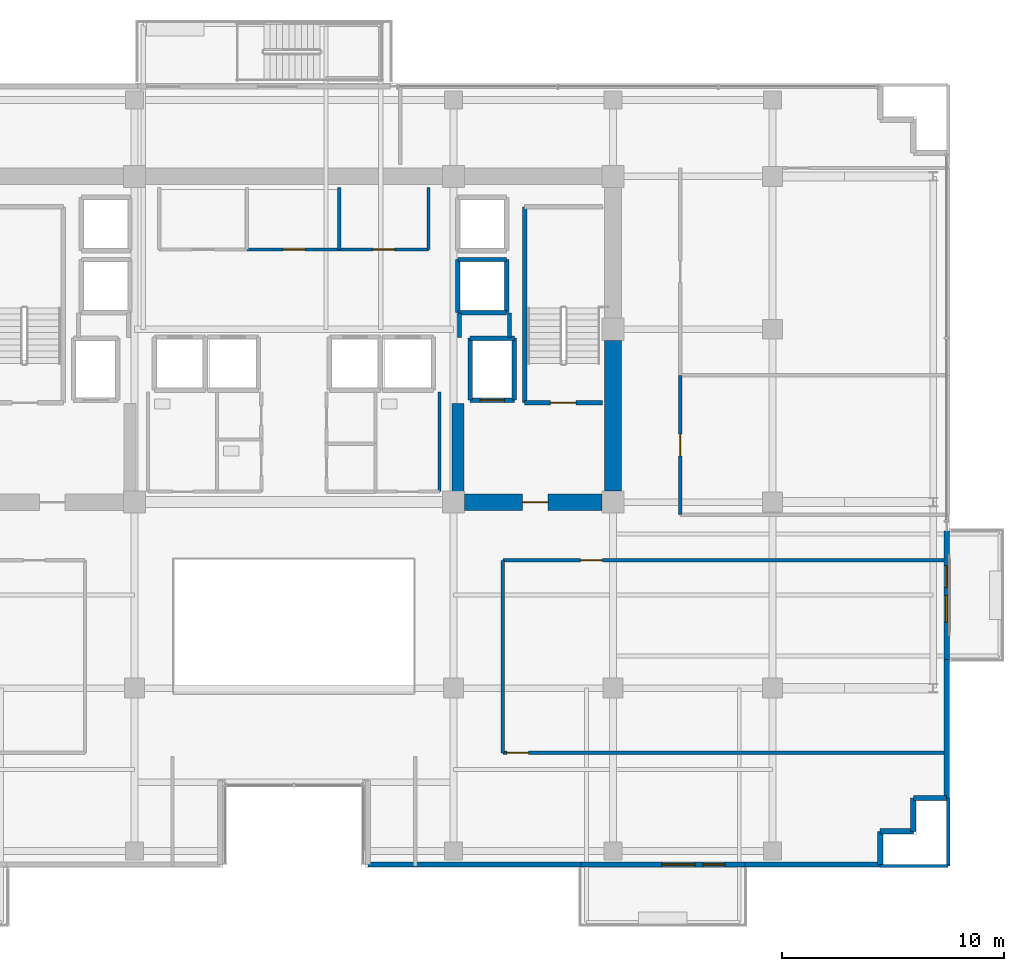
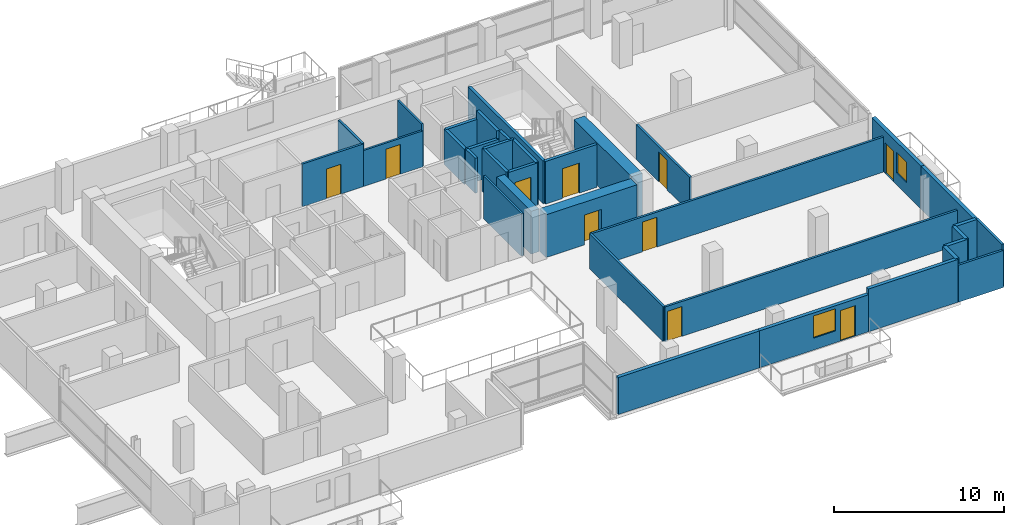
# One storey, part 20 of 27: 35 walls, 10 doors, 2 windows, 12 openings.
"""IFC4 building model written with IfcOpenShell, lengths in metres."""

from ifc_helpers import new_model, si_unit, direction, frame, frame_2d, origin, place, context, subcontext, project, spatial, rectangle, extrude, source, transform, mapped, material, layer, layer_set, type_object, element, fill, save


model = new_model("IFC4")

# Units and contexts
model_context = context("Model", 3, precision=1e-05, world=origin(), true_north=direction((0.0, 1.0)))
body_context = subcontext(model_context, "Body", "Model", "MODEL_VIEW")
ifc_project = project(units=[si_unit("LENGTHUNIT", "METRE"), si_unit("AREAUNIT", "SQUARE_METRE"), si_unit("VOLUMEUNIT", "CUBIC_METRE"), si_unit("PLANEANGLEUNIT", "RADIAN"), si_unit("MASSUNIT", "GRAM", prefix="KILO")], contexts=[model_context])

# Site, building, storey
site_placement = place(None, origin())
site = spatial("IfcSite", under=ifc_project, at=site_placement, CompositionType="ELEMENT")
building_placement = place(site_placement, origin())
building = spatial("IfcBuilding", under=site, at=building_placement, Name="Zarnakvel Exchange Tower", CompositionType="ELEMENT")
storey_placement = place(building_placement, frame((0.0, 0.0, 113.199951171875)))
storey = spatial("IfcBuildingStorey", under=building, at=storey_placement, Name="L31", CompositionType="ELEMENT", Elevation=113.199951171875)

# Wall
ifc_material_1 = material(Name="Concrete C60/75", Category="concrete")
ifc_layer_1 = layer(ifc_material_1, 0.75)
ifc_layer_set_1 = layer_set([ifc_layer_1], Name="Concrete C60/75")
wall_type_1 = type_object("IfcWallType", Name="CW-C3", PredefinedType="SHEAR", material=ifc_layer_set_1)
wall_1_placement = place(storey_placement, frame((14.39990234375, -0.699951171875, 0.0), z_axis=(0.0, 0.0, 1.0), x_axis=(0.0, 1.0, 0.0)))
element("IfcWall", 1, at=wall_1_placement, inside=storey, type_object=wall_type_1, Name="L31 Rear Core Shear Wall E1 (CW-C3)", PredefinedType="SHEAR", context=body_context, shape_type="SweptSolid", body=[
    extrude(rectangle(XDim=6.800048828125, YDim=0.75, at=frame_2d((3.39990234375, 0.0))), origin(), (0.0, 0.0, 1.0), 3.074951171875),
])

# Wall, opening, door
wall_2_placement = place(storey_placement, frame((13.89990234375, -1.199951171875, 0.0), z_axis=(0.0, 0.0, 1.0), x_axis=(-1.0, 0.0, 0.0)))
wall_2 = element("IfcWall", 2, at=wall_2_placement, inside=storey, type_object=wall_type_1, Name="L31 Rear Core Shear Wall SE (CW-C3)", PredefinedType="SHEAR", context=body_context, shape_type="SweptSolid", body=[
    extrude(rectangle(XDim=6.199951171875, YDim=0.75, at=frame_2d((3.10009765625, 0.0))), origin(), (0.0, 0.0, 1.0), 3.074951171875),
])
opening_1_placement = place(wall_2_placement, frame((2.425048828125, 0.0, 0.0)))
opening_1 = element("IfcOpeningElement", 3, at=opening_1_placement, cuts=wall_2, Name="Opening D-L31-04", PredefinedType="OPENING", context=body_context, shape_type="SweptSolid", body=[
    extrude(rectangle(XDim=1.14990234375, YDim=2.14990234375, at=frame_2d((0.574951171875, 1.074951171875))), frame((0.0, 0.385009765625, 0.0), z_axis=(0.0, -1.0, 0.0), x_axis=(1.0, 0.0, 0.0)), (0.0, 0.0, 1.0), 0.77001953125),
])
ifc_material_2 = material(Name="Painted Galvanised Steel S355", Category="steel")
door_type_1 = type_object("IfcDoorType", Name="DT-04", OperationType="NOTDEFINED", PredefinedType="DOOR", material=ifc_material_2)
shared_shape_1 = source(origin(), body_context, "Body", "SweptSolid", [
    extrude(rectangle(XDim=1.14990234375, YDim=2.14990234375, at=frame_2d((0.574951171875, 1.074951171875))), frame((0.0, 0.02490234375, 0.0), z_axis=(0.0, -1.0, 0.0), x_axis=(1.0, 0.0, 0.0)), (0.0, 0.0, 1.0), 0.050048828125),
])
door_1_placement = place(opening_1_placement, origin())
door_1 = element("IfcDoor", 4, at=door_1_placement, inside=storey, type_object=door_type_1, Name="L31 Firefighting Lobby East Door D-L31-04", OperationType="SINGLE_SWING_RIGHT", OverallHeight=2.14990234375, OverallWidth=1.14990234375, PredefinedType="DOOR", context=body_context, shape_type="MappedRepresentation", body=[
    mapped(shared_shape_1, transform((0.0, 0.0, 0.0), x_axis=(1.0, 0.0, 0.0), y_axis=(0.0, 1.0, 0.0), z_axis=(0.0, 0.0, 1.0), scale=1.0)),
])
fill(opening_1, door_1)

# Wall
ifc_layer_2 = layer(ifc_material_1, 0.550048828125)
ifc_layer_set_2 = layer_set([ifc_layer_2], Name="Concrete C60/75")
wall_type_2 = type_object("IfcWallType", Name="CW-C4", PredefinedType="SHEAR", material=ifc_layer_set_2)
wall_3_placement = place(storey_placement, frame((7.39990234375, -0.824951171875, 0.0), z_axis=(0.0, 0.0, 1.0), x_axis=(0.0, 1.0, 0.0)))
element("IfcWall", 5, at=wall_3_placement, inside=storey, type_object=wall_type_2, Name="L31 Rear Core Shear Wall IE (CW-C4)", PredefinedType="SHEAR", context=body_context, shape_type="SweptSolid", body=[
    extrude(rectangle(XDim=4.074951171875, YDim=0.550048828125, at=frame_2d((2.03759765625, 0.0))), origin(), (0.0, 0.0, 1.0), 3.074951171875),
])

# Wall, openings, door, window
ifc_material_3 = material(Name="Precast concrete C40/50", Category="concrete")
ifc_layer_3 = layer(ifc_material_3, 0.239990234375)
ifc_layer_set_3 = layer_set([ifc_layer_3], Name="Precast concrete C40/50")
wall_type_3 = type_object("IfcWallType", Name="EW-02", PredefinedType="SOLIDWALL", material=ifc_layer_set_3)
wall_4_placement = place(storey_placement, frame((20.35009765625, -17.56005859375, 0.0), z_axis=(0.0, 0.0, 1.0), x_axis=(-1.0, 0.0, 0.0)))
wall_4 = element("IfcWall", 6, at=wall_4_placement, inside=storey, type_object=wall_type_3, Name="L31 Exterior Precast Spandrel Wall EW-BAL-L31-SE (EW-02)", PredefinedType="SOLIDWALL", context=body_context, shape_type="SweptSolid", body=[
    extrude(rectangle(XDim=7.400146484375, YDim=0.239990234375, at=frame_2d((3.7001953125, 0.0))), origin(), (0.0, 0.0, 1.0), 2.6650390625),
])
opening_2_placement = place(wall_4_placement, frame((0.887939453125, 0.0, 0.0)))
opening_2 = element("IfcOpeningElement", 7, at=opening_2_placement, cuts=wall_4, Name="Opening BD-L31-02", PredefinedType="OPENING", context=body_context, shape_type="SweptSolid", body=[
    extrude(rectangle(XDim=1.0, YDim=2.199951171875, at=frame_2d((0.5, 1.10009765625))), frame((0.0, 0.1298828125, 0.0), z_axis=(0.0, -1.0, 0.0), x_axis=(1.0, 0.0, 0.0)), (0.0, 0.0, 1.0), 0.260009765625),
])
opening_3_placement = place(wall_4_placement, frame((2.238037109375, 0.0, 0.85009765625)))
opening_3 = element("IfcOpeningElement", 8, at=opening_3_placement, cuts=wall_4, Name="Opening WN-03", PredefinedType="OPENING", context=body_context, shape_type="SweptSolid", body=[
    extrude(rectangle(XDim=1.5, YDim=1.60009765625, at=frame_2d((0.75, 0.800048828125))), frame((0.0, 0.1298828125, 0.0), z_axis=(0.0, -1.0, 0.0), x_axis=(1.0, 0.0, 0.0)), (0.0, 0.0, 1.0), 0.260009765625),
])
ifc_material_4 = material(Name="Architectural Bronze Anodised Aluminium", Category="aluminium")
door_type_2 = type_object("IfcDoorType", Name="DT-09", OperationType="NOTDEFINED", PredefinedType="DOOR", material=ifc_material_4)
shared_shape_2 = source(origin(), body_context, "Body", "SweptSolid", [
    extrude(rectangle(XDim=1.0, YDim=2.199951171875, at=frame_2d((0.5, 1.10009765625))), frame((0.0, 0.02490234375, 0.0), z_axis=(0.0, -1.0, 0.0), x_axis=(1.0, 0.0, 0.0)), (0.0, 0.0, 1.0), 0.050048828125),
])
door_2_placement = place(opening_2_placement, origin())
door_2 = element("IfcDoor", 9, at=door_2_placement, inside=storey, type_object=door_type_2, Name="L31 Planted Loggia Balcony Door BD-L31-02", OperationType="SINGLE_SWING_RIGHT", OverallHeight=2.199951171875, OverallWidth=1.0, PredefinedType="DOOR", context=body_context, shape_type="MappedRepresentation", body=[
    mapped(shared_shape_2, transform((0.0, 0.0, 0.0), x_axis=(1.0, 0.0, 0.0), y_axis=(0.0, 1.0, 0.0), z_axis=(0.0, 0.0, 1.0), scale=1.0)),
])
fill(opening_2, door_2)
ifc_material_5 = material(Name="Double Low-E Laminated Vision Glass", Category="glass")
window_type_1 = type_object("IfcWindowType", Name="WN-03", PartitioningType="SINGLE_PANEL", PredefinedType="WINDOW", material=ifc_material_5)
shared_shape_3 = source(origin(), body_context, "Body", "SweptSolid", [
    extrude(rectangle(XDim=1.5, YDim=1.60009765625, at=frame_2d((0.75, 0.800048828125))), frame((0.0, 0.030029296875, 0.0), z_axis=(0.0, -1.0, 0.0), x_axis=(1.0, 0.0, 0.0)), (0.0, 0.0, 1.0), 0.06005859375),
])
window_1_placement = place(opening_3_placement, origin())
window_1 = element("IfcWindow", 10, at=window_1_placement, inside=storey, type_object=window_type_1, Name="L31 Loggia Daylight Window (WN-03)", OverallHeight=1.60009765625, OverallWidth=1.5, PartitioningType="SINGLE_PANEL", PredefinedType="WINDOW", context=body_context, shape_type="MappedRepresentation", body=[
    mapped(shared_shape_3, transform((0.0, 0.0, 0.0), x_axis=(1.0, 0.0, 0.0), y_axis=(0.0, 1.0, 0.0), z_axis=(0.0, 0.0, 1.0), scale=1.0)),
])
fill(opening_3, window_1)

wall_5_placement = place(storey_placement, frame((29.4599609375, -2.5, 0.0), z_axis=(0.0, 0.0, 1.0), x_axis=(0.0, -1.0, 0.0)))
wall_5 = element("IfcWall", 11, at=wall_5_placement, inside=storey, type_object=wall_type_3, Name="L31 Exterior Precast Spandrel Wall EW-BAL-L31-E (EW-02)", PredefinedType="SOLIDWALL", context=body_context, shape_type="SweptSolid", body=[
    extrude(rectangle(XDim=5.800048828125, YDim=0.239990234375, at=frame_2d((2.89990234375, 0.0))), origin(), (0.0, 0.0, 1.0), 3.074951171875),
])
opening_4_placement = place(wall_5_placement, frame((1.56591796875, 0.0, 0.0)))
opening_4 = element("IfcOpeningElement", 12, at=opening_4_placement, cuts=wall_5, Name="Opening BD-L31-03", PredefinedType="OPENING", context=body_context, shape_type="SweptSolid", body=[
    extrude(rectangle(XDim=1.0, YDim=2.199951171875, at=frame_2d((0.5, 1.10009765625))), frame((0.0, 0.1298828125, 0.0), z_axis=(0.0, -1.0, 0.0), x_axis=(1.0, 0.0, 0.0)), (0.0, 0.0, 1.0), 0.260009765625),
])
opening_5_placement = place(wall_5_placement, frame((2.916015625, 0.0, 0.85009765625)))
opening_5 = element("IfcOpeningElement", 13, at=opening_5_placement, cuts=wall_5, Name="Opening WN-04", PredefinedType="OPENING", context=body_context, shape_type="SweptSolid", body=[
    extrude(rectangle(XDim=1.199951171875, YDim=1.5, at=frame_2d((0.60009765625, 0.75))), frame((0.0, 0.1298828125, 0.0), z_axis=(0.0, -1.0, 0.0), x_axis=(1.0, 0.0, 0.0)), (0.0, 0.0, 1.0), 0.260009765625),
])
door_3_placement = place(opening_4_placement, origin())
door_3 = element("IfcDoor", 14, at=door_3_placement, inside=storey, type_object=door_type_2, Name="L31 Planted Loggia Balcony Door BD-L31-03", OperationType="SINGLE_SWING_LEFT", OverallHeight=2.199951171875, OverallWidth=1.0, PredefinedType="DOOR", context=body_context, shape_type="MappedRepresentation", body=[
    mapped(shared_shape_2, transform((0.0, 0.0, 0.0), x_axis=(1.0, 0.0, 0.0), y_axis=(0.0, 1.0, 0.0), z_axis=(0.0, 0.0, 1.0), scale=1.0)),
])
fill(opening_4, door_3)
window_type_2 = type_object("IfcWindowType", Name="WN-04", PartitioningType="SINGLE_PANEL", PredefinedType="WINDOW", material=ifc_material_5)
shared_shape_4 = source(origin(), body_context, "Body", "SweptSolid", [
    extrude(rectangle(XDim=1.199951171875, YDim=1.5, at=frame_2d((0.60009765625, 0.75))), frame((0.0, 0.030029296875, 0.0), z_axis=(0.0, -1.0, 0.0), x_axis=(1.0, 0.0, 0.0)), (0.0, 0.0, 1.0), 0.06005859375),
])
window_2_placement = place(opening_5_placement, origin())
window_2 = element("IfcWindow", 15, at=window_2_placement, inside=storey, type_object=window_type_2, Name="L31 Loggia Daylight Window (WN-04)", OverallHeight=1.5, OverallWidth=1.199951171875, PartitioningType="SINGLE_PANEL", PredefinedType="WINDOW", context=body_context, shape_type="MappedRepresentation", body=[
    mapped(shared_shape_4, transform((0.0, 0.0, 0.0), x_axis=(1.0, 0.0, 0.0), y_axis=(0.0, 1.0, 0.0), z_axis=(0.0, 0.0, 1.0), scale=1.0)),
])
fill(opening_5, window_2)

# Walls
wall_6_placement = place(storey_placement, frame((29.4599609375, -14.56005859375, 0.0), z_axis=(0.0, 0.0, 1.0), x_axis=(0.0, 1.0, 0.0)))
element("IfcWall", 16, at=wall_6_placement, inside=storey, type_object=wall_type_3, Name="L31 Exterior Precast Spandrel Wall EWC-L31-12 (EW-02)", PredefinedType="SOLIDWALL", context=body_context, shape_type="SweptSolid", body=[
    extrude(rectangle(XDim=6.260009765625, YDim=0.239990234375, at=frame_2d((3.1298828125, 0.0))), origin(), (0.0, 0.0, 1.0), 3.074951171875),
])
for number, where, z_axis, x_axis, name in (
    (17, (27.9599609375, -14.56005859375, 0.0), (0.0, 0.0, 1.0), (1.0, 0.0, 0.0), "L31 Exterior Precast Spandrel Wall EWC-L31-13 (EW-02)"),
    (18, (27.9599609375, -16.06005859375, 0.0), (0.0, 0.0, 1.0), (0.0, 1.0, 0.0), "L31 Exterior Precast Spandrel Wall EWC-L31-14 (EW-02)"),
    (19, (26.4599609375, -16.06005859375, 0.0), (0.0, 0.0, 1.0), (1.0, 0.0, 0.0), "L31 Exterior Precast Spandrel Wall EWC-L31-15 (EW-02)"),
    (20, (26.4599609375, -17.56005859375, 0.0), (0.0, 0.0, 1.0), (0.0, 1.0, 0.0), "L31 Exterior Precast Spandrel Wall EWC-L31-16 (EW-02)"),
):
    element("IfcWall", number, at=place(storey_placement, frame(where, z_axis=z_axis, x_axis=x_axis)), inside=storey, type_object=wall_type_3, Name=name, PredefinedType="SOLIDWALL", context=body_context, shape_type="SweptSolid", body=[
        extrude(rectangle(XDim=1.5, YDim=0.239990234375, at=frame_2d((0.75, 0.0))), origin(), (0.0, 0.0, 1.0), 3.074951171875),
    ])
wall_7_placement = place(storey_placement, frame((20.35009765625, -17.56005859375, 0.0), z_axis=(0.0, 0.0, 1.0), x_axis=(1.0, 0.0, 0.0)))
element("IfcWall", 21, at=wall_7_placement, inside=storey, type_object=wall_type_3, Name="L31 Exterior Precast Spandrel Wall EWC-L31-17 (EW-02)", PredefinedType="SOLIDWALL", context=body_context, shape_type="SweptSolid", body=[
    extrude(rectangle(XDim=6.10986328125, YDim=0.239990234375, at=frame_2d((3.054931640625, 0.0))), origin(), (0.0, 0.0, 1.0), 3.074951171875),
])
wall_8_placement = place(storey_placement, frame((3.340087890625, -17.56005859375, 0.0), z_axis=(0.0, 0.0, 1.0), x_axis=(1.0, 0.0, 0.0)))
element("IfcWall", 22, at=wall_8_placement, inside=storey, type_object=wall_type_3, Name="L31 Exterior Precast Spandrel Wall EWC-L31-18 (EW-02)", PredefinedType="SOLIDWALL", context=body_context, shape_type="SweptSolid", body=[
    extrude(rectangle(XDim=9.60986328125, YDim=0.239990234375, at=frame_2d((4.804931640625, 0.0))), origin(), (0.0, 0.0, 1.0), 2.6650390625),
])

# Wall, opening, door
ifc_material_6 = material(Name="Fire-Rated Gypsum Stud Partition", Category="gypsum")
ifc_layer_4 = layer(ifc_material_6, 0.14990234375)
ifc_layer_set_4 = layer_set([ifc_layer_4], Name="Fire-Rated Gypsum Stud Partition")
wall_type_4 = type_object("IfcWallType", Name="PT-01", PredefinedType="PARTITIONING", material=ifc_layer_set_4)
wall_9_placement = place(storey_placement, frame((2.0400390625, 10.199951171875, 0.0), z_axis=(0.0, 0.0, 1.0), x_axis=(-1.0, 0.0, 0.0)))
wall_9 = element("IfcWall", 23, at=wall_9_placement, inside=storey, type_object=wall_type_4, Name="L31 Partition Wall PWALL-L31-014 (PT-01)", PredefinedType="PARTITIONING", context=body_context, shape_type="SweptSolid", body=[
    extrude(rectangle(XDim=4.16015625, YDim=0.14990234375, at=frame_2d((2.080078125, 0.0))), origin(), (0.0, 0.0, 1.0), 3.074951171875),
])
opening_6_placement = place(wall_9_placement, frame((1.550048828125, 0.0, 0.0)))
opening_6 = element("IfcOpeningElement", 24, at=opening_6_placement, cuts=wall_9, Name="Opening D-L31-06", PredefinedType="OPENING", context=body_context, shape_type="SweptSolid", body=[
    extrude(rectangle(XDim=0.97998046875, YDim=2.14990234375, at=frame_2d((0.489990234375, 1.074951171875))), frame((0.0, 0.0849609375, 0.0), z_axis=(0.0, -1.0, 0.0), x_axis=(1.0, 0.0, 0.0)), (0.0, 0.0, 1.0), 0.169921875),
])
ifc_material_7 = material(Name="Timber Acoustic Veneer", Category="wood")
door_type_3 = type_object("IfcDoorType", Name="DT-05", OperationType="NOTDEFINED", PredefinedType="DOOR", material=ifc_material_7)
shared_shape_5 = source(origin(), body_context, "Body", "SweptSolid", [
    extrude(rectangle(XDim=0.97998046875, YDim=2.14990234375, at=frame_2d((0.489990234375, 1.074951171875))), frame((0.0, 0.02490234375, 0.0), z_axis=(0.0, -1.0, 0.0), x_axis=(1.0, 0.0, 0.0)), (0.0, 0.0, 1.0), 0.050048828125),
])
door_4_placement = place(opening_6_placement, origin())
door_4 = element("IfcDoor", 25, at=door_4_placement, inside=storey, type_object=door_type_3, Name="L31 Brokerage Filing Room Door D-L31-06", OperationType="SINGLE_SWING_RIGHT", OverallHeight=2.14990234375, OverallWidth=0.97998046875, PredefinedType="DOOR", context=body_context, shape_type="MappedRepresentation", body=[
    mapped(shared_shape_5, transform((0.0, 0.0, 0.0), x_axis=(1.0, 0.0, 0.0), y_axis=(0.0, 1.0, 0.0), z_axis=(0.0, 0.0, 1.0), scale=1.0)),
])
fill(opening_6, door_4)

# Wall
wall_10_placement = place(storey_placement, frame((2.0400390625, 13.0, 0.0), z_axis=(0.0, 0.0, 1.0), x_axis=(0.0, -1.0, 0.0)))
element("IfcWall", 26, at=wall_10_placement, inside=storey, type_object=wall_type_4, Name="L31 Partition Wall PWALL-L31-015 (PT-01)", PredefinedType="PARTITIONING", context=body_context, shape_type="SweptSolid", body=[
    extrude(rectangle(XDim=2.800048828125, YDim=0.14990234375, at=frame_2d((1.39990234375, 0.0))), origin(), (0.0, 0.0, 1.0), 3.074951171875),
])

# Wall, opening, door
wall_11_placement = place(storey_placement, frame((29.530029296875, -12.52001953125, 0.0), z_axis=(0.0, 0.0, 1.0), x_axis=(-1.0, 0.0, 0.0)))
wall_11 = element("IfcWall", 27, at=wall_11_placement, inside=storey, type_object=wall_type_4, Name="L31 Partition Wall PWALL-L31-044 (PT-01)", PredefinedType="PARTITIONING", context=body_context, shape_type="SweptSolid", body=[
    extrude(rectangle(XDim=20.10009765625, YDim=0.14990234375, at=frame_2d((10.050048828125, 0.0))), origin(), (0.0, 0.0, 1.0), 2.51513671875),
])
opening_7_placement = place(wall_11_placement, frame((18.93994140625, 0.0, 0.0)))
opening_7 = element("IfcOpeningElement", 28, at=opening_7_placement, cuts=wall_11, Name="Opening D-L31-18", PredefinedType="OPENING", context=body_context, shape_type="SweptSolid", body=[
    extrude(rectangle(XDim=0.97998046875, YDim=2.14990234375, at=frame_2d((0.489990234375, 1.074951171875))), frame((0.0, 0.0849609375, 0.0), z_axis=(0.0, -1.0, 0.0), x_axis=(1.0, 0.0, 0.0)), (0.0, 0.0, 1.0), 0.169921875),
])
door_5_placement = place(opening_7_placement, origin())
door_5 = element("IfcDoor", 29, at=door_5_placement, inside=storey, type_object=door_type_3, Name="L31 Brokerage Office Door D-L31-18", OperationType="SINGLE_SWING_RIGHT", OverallHeight=2.14990234375, OverallWidth=0.97998046875, PredefinedType="DOOR", context=body_context, shape_type="MappedRepresentation", body=[
    mapped(shared_shape_5, transform((0.0, 0.0, 0.0), x_axis=(1.0, 0.0, 0.0), y_axis=(0.0, 1.0, 0.0), z_axis=(0.0, 0.0, 1.0), scale=1.0)),
])
fill(opening_7, door_5)

wall_12_placement = place(storey_placement, frame((9.429931640625, -3.830078125, 0.0), z_axis=(0.0, 0.0, 1.0), x_axis=(1.0, 0.0, 0.0)))
wall_12 = element("IfcWall", 30, at=wall_12_placement, inside=storey, type_object=wall_type_4, Name="L31 Partition Wall PWALL-L31-045 (PT-01)", PredefinedType="PARTITIONING", context=body_context, shape_type="SweptSolid", body=[
    extrude(rectangle(XDim=20.10009765625, YDim=0.14990234375, at=frame_2d((10.050048828125, 0.0))), origin(), (0.0, 0.0, 1.0), 2.51513671875),
])
opening_8_placement = place(wall_12_placement, frame((3.510009765625, 0.0, 0.0)))
opening_8 = element("IfcOpeningElement", 31, at=opening_8_placement, cuts=wall_12, Name="Opening D-L31-17", PredefinedType="OPENING", context=body_context, shape_type="SweptSolid", body=[
    extrude(rectangle(XDim=0.97998046875, YDim=2.14990234375, at=frame_2d((0.489990234375, 1.074951171875))), frame((0.0, 0.0849609375, 0.0), z_axis=(0.0, -1.0, 0.0), x_axis=(1.0, 0.0, 0.0)), (0.0, 0.0, 1.0), 0.169921875),
])
door_6_placement = place(opening_8_placement, origin())
door_6 = element("IfcDoor", 32, at=door_6_placement, inside=storey, type_object=door_type_3, Name="L31 Seminar Room Door D-L31-17", OperationType="SINGLE_SWING_LEFT", OverallHeight=2.14990234375, OverallWidth=0.97998046875, PredefinedType="DOOR", context=body_context, shape_type="MappedRepresentation", body=[
    mapped(shared_shape_5, transform((0.0, 0.0, 0.0), x_axis=(1.0, 0.0, 0.0), y_axis=(0.0, 1.0, 0.0), z_axis=(0.0, 0.0, 1.0), scale=1.0)),
])
fill(opening_8, door_6)

# Walls
wall_13_placement = place(storey_placement, frame((9.429931640625, -12.52001953125, 0.0), z_axis=(0.0, 0.0, 1.0), x_axis=(0.0, 1.0, 0.0)))
element("IfcWall", 33, at=wall_13_placement, inside=storey, type_object=wall_type_4, Name="L31 Partition Wall PWALL-L31-046 (PT-01)", PredefinedType="PARTITIONING", context=body_context, shape_type="SweptSolid", body=[
    extrude(rectangle(XDim=8.68994140625, YDim=0.14990234375, at=frame_2d((4.344970703125, 0.0))), origin(), (0.0, 0.0, 1.0), 2.51513671875),
])
wall_14_placement = place(storey_placement, frame((29.530029296875, -17.6298828125, 0.0), z_axis=(0.0, 0.0, 1.0), x_axis=(-1.0, 0.0, 0.0)))
element("IfcWall", 34, at=wall_14_placement, inside=storey, type_object=wall_type_4, Name="L31 Partition Wall PWALL-L31-048 (PT-01)", PredefinedType="PARTITIONING", context=body_context, shape_type="SweptSolid", body=[
    extrude(rectangle(XDim=3.070068359375, YDim=0.14990234375, at=frame_2d((1.53515625, 0.0))), origin(), (0.0, 0.0, 1.0), 2.6650390625),
])
wall_15_placement = place(storey_placement, frame((29.530029296875, -14.56005859375, 0.0), z_axis=(0.0, 0.0, 1.0), x_axis=(0.0, -1.0, 0.0)))
element("IfcWall", 35, at=wall_15_placement, inside=storey, type_object=wall_type_4, Name="L31 Partition Wall PWALL-L31-050 (PT-01)", PredefinedType="PARTITIONING", context=body_context, shape_type="SweptSolid", body=[
    extrude(rectangle(XDim=3.06982421875, YDim=0.14990234375, at=frame_2d((1.534912109375, 0.0))), origin(), (0.0, 0.0, 1.0), 3.074951171875),
])

# Wall, opening, door
wall_16_placement = place(storey_placement, frame((17.429931640625, -1.77001953125, 0.0), z_axis=(0.0, 0.0, 1.0), x_axis=(0.0, 1.0, 0.0)))
wall_16 = element("IfcWall", 36, at=wall_16_placement, inside=storey, type_object=wall_type_4, Name="L31 Partition Wall PWALL-L31-066 (PT-01)", PredefinedType="PARTITIONING", context=body_context, shape_type="SweptSolid", body=[
    extrude(rectangle(XDim=6.2919921875, YDim=0.14990234375, at=frame_2d((3.14599609375, 0.0))), origin(), (0.0, 0.0, 1.0), 2.51513671875),
])
opening_9_placement = place(wall_16_placement, frame((2.656005859375, 0.0, 0.0)))
opening_9 = element("IfcOpeningElement", 37, at=opening_9_placement, cuts=wall_16, Name="Opening D-L31-23", PredefinedType="OPENING", context=body_context, shape_type="SweptSolid", body=[
    extrude(rectangle(XDim=0.97998046875, YDim=2.14990234375, at=frame_2d((0.489990234375, 1.074951171875))), frame((0.0, 0.0849609375, 0.0), z_axis=(0.0, -1.0, 0.0), x_axis=(1.0, 0.0, 0.0)), (0.0, 0.0, 1.0), 0.169921875),
])
door_7_placement = place(opening_9_placement, origin())
door_7 = element("IfcDoor", 38, at=door_7_placement, inside=storey, type_object=door_type_3, Name="L31 Tea Pantry Door D-L31-23", OperationType="SINGLE_SWING_LEFT", OverallHeight=2.14990234375, OverallWidth=0.97998046875, PredefinedType="DOOR", context=body_context, shape_type="MappedRepresentation", body=[
    mapped(shared_shape_5, transform((0.0, 0.0, 0.0), x_axis=(1.0, 0.0, 0.0), y_axis=(0.0, 1.0, 0.0), z_axis=(0.0, 0.0, 1.0), scale=1.0)),
])
fill(opening_9, door_7)

# Walls
ifc_layer_5 = layer(ifc_material_6, 0.179931640625)
ifc_layer_set_5 = layer_set([ifc_layer_5], Name="Fire-Rated Gypsum Stud Partition")
wall_type_5 = type_object("IfcWallType", Name="PT-02", PredefinedType="PARTITIONING", material=ifc_layer_set_5)
wall_17_placement = place(storey_placement, frame((7.469970703125, 6.239990234375, 0.0), z_axis=(0.0, 0.0, 1.0), x_axis=(0.0, 1.0, 0.0)))
element("IfcWall", 39, at=wall_17_placement, inside=storey, type_object=wall_type_5, Name="L31 Partition Wall PWALL-L31-009 (PT-02)", PredefinedType="PARTITIONING", context=body_context, shape_type="SweptSolid", body=[
    extrude(rectangle(XDim=1.090087890625, YDim=0.179931640625, at=frame_2d((0.544921875, 0.0))), origin(), (0.0, 0.0, 1.0), 2.51513671875),
])
wall_18_placement = place(storey_placement, frame((9.72998046875, 7.330078125, 0.0), z_axis=(0.0, 0.0, 1.0), x_axis=(0.0, -1.0, 0.0)))
element("IfcWall", 40, at=wall_18_placement, inside=storey, type_object=wall_type_5, Name="L31 Partition Wall PWALL-L31-010 (PT-02)", PredefinedType="PARTITIONING", context=body_context, shape_type="SweptSolid", body=[
    extrude(rectangle(XDim=1.090087890625, YDim=0.179931640625, at=frame_2d((0.544921875, 0.0))), origin(), (0.0, 0.0, 1.0), 3.074951171875),
])

# Wall, opening, door
ifc_material_8 = material(Name="Moisture-Resistant Tile-Faced Partition", Category="gypsum")
ifc_layer_6 = layer(ifc_material_8, 0.135009765625)
ifc_layer_set_6 = layer_set([ifc_layer_6], Name="Moisture-Resistant Tile-Faced Partition")
wall_type_6 = type_object("IfcWallType", Name="PT-03", PredefinedType="PARTITIONING", material=ifc_layer_set_6)
wall_19_placement = place(storey_placement, frame((6.080078125, 10.199951171875, 0.0), z_axis=(0.0, 0.0, 1.0), x_axis=(-1.0, 0.0, 0.0)))
wall_19 = element("IfcWall", 41, at=wall_19_placement, inside=storey, type_object=wall_type_6, Name="L31 Partition Wall PWALL-L31-016 (PT-03)", PredefinedType="PARTITIONING", context=body_context, shape_type="SweptSolid", body=[
    extrude(rectangle(XDim=4.0400390625, YDim=0.135009765625, at=frame_2d((2.02001953125, 0.0))), origin(), (0.0, 0.0, 1.0), 2.590087890625),
])
opening_10_placement = place(wall_19_placement, frame((1.530029296875, 0.0, 0.0)))
opening_10 = element("IfcOpeningElement", 42, at=opening_10_placement, cuts=wall_19, Name="Opening D-L31-07", PredefinedType="OPENING", context=body_context, shape_type="SweptSolid", body=[
    extrude(rectangle(XDim=0.97998046875, YDim=2.14990234375, at=frame_2d((0.489990234375, 1.074951171875))), frame((0.0, 0.077392578125, 0.0), z_axis=(0.0, -1.0, 0.0), x_axis=(1.0, 0.0, 0.0)), (0.0, 0.0, 1.0), 0.155029296875),
])
door_8_placement = place(opening_10_placement, origin())
door_8 = element("IfcDoor", 43, at=door_8_placement, inside=storey, type_object=door_type_3, Name="L31 Executive Tea Pantry Door D-L31-07", OperationType="SINGLE_SWING_LEFT", OverallHeight=2.14990234375, OverallWidth=0.97998046875, PredefinedType="DOOR", context=body_context, shape_type="MappedRepresentation", body=[
    mapped(shared_shape_5, transform((0.0, 0.0, 0.0), x_axis=(1.0, 0.0, 0.0), y_axis=(0.0, 1.0, 0.0), z_axis=(0.0, 0.0, 1.0), scale=1.0)),
])
fill(opening_10, door_8)

# Walls
wall_20_placement = place(storey_placement, frame((6.080078125, 13.0, 0.0), z_axis=(0.0, 0.0, 1.0), x_axis=(0.0, -1.0, 0.0)))
element("IfcWall", 44, at=wall_20_placement, inside=storey, type_object=wall_type_6, Name="L31 Partition Wall PWALL-L31-017 (PT-03)", PredefinedType="PARTITIONING", context=body_context, shape_type="SweptSolid", body=[
    extrude(rectangle(XDim=2.800048828125, YDim=0.135009765625, at=frame_2d((1.39990234375, 0.0))), origin(), (0.0, 0.0, 1.0), 3.074951171875),
])
wall_21_placement = place(storey_placement, frame((6.580078125, 3.760009765625, 0.0), z_axis=(0.0, 0.0, 1.0), x_axis=(0.0, -1.0, 0.0)))
element("IfcWall", 45, at=wall_21_placement, inside=storey, type_object=wall_type_6, Name="L31 Partition Wall PWALL-L31-032 (PT-03)", PredefinedType="PARTITIONING", context=body_context, shape_type="SweptSolid", body=[
    extrude(rectangle(XDim=4.489990234375, YDim=0.135009765625, at=frame_2d((2.2451171875, 0.0))), origin(), (0.0, 0.0, 1.0), 3.074951171875),
])

# Wall, opening, door
ifc_material_9 = material(Name="Concrete C40/50", Category="concrete")
ifc_layer_7 = layer(ifc_material_9, 0.199951171875)
ifc_layer_set_7 = layer_set([ifc_layer_7], Name="Concrete C40/50")
wall_type_7 = type_object("IfcWallType", Name="SW-01", PredefinedType="SOLIDWALL", material=ifc_layer_set_7)
wall_22_placement = place(storey_placement, frame((9.949951171875, 3.39990234375, 0.0), z_axis=(0.0, 0.0, 1.0), x_axis=(-1.0, 0.0, 0.0)))
wall_22 = element("IfcWall", 46, at=wall_22_placement, inside=storey, type_object=wall_type_7, Name="L31 FL-02 Hoistway Wall South", PredefinedType="SOLIDWALL", context=body_context, shape_type="SweptSolid", body=[
    extrude(rectangle(XDim=2.0, YDim=0.199951171875, at=frame_2d((1.0, 0.0))), origin(), (0.0, 0.0, 1.0), 3.074951171875),
])
opening_11_placement = place(wall_22_placement, frame((0.449951171875, 0.0, 0.0)))
opening_11 = element("IfcOpeningElement", 47, at=opening_11_placement, cuts=wall_22, Name="Opening LD-FL-02-L31", PredefinedType="OPENING", context=body_context, shape_type="SweptSolid", body=[
    extrude(rectangle(XDim=1.10009765625, YDim=2.199951171875, at=frame_2d((0.550048828125, 1.10009765625))), frame((0.0, 0.10986328125, 0.0), z_axis=(0.0, -1.0, 0.0), x_axis=(1.0, 0.0, 0.0)), (0.0, 0.0, 1.0), 0.219970703125),
])
ifc_material_10 = material(Name="Brushed Stainless Steel", Category="steel")
door_type_4 = type_object("IfcDoorType", Name="LDT-01", OperationType="NOTDEFINED", PredefinedType="DOOR", material=ifc_material_10)
shared_shape_6 = source(origin(), body_context, "Body", "SweptSolid", [
    extrude(rectangle(XDim=1.10009765625, YDim=2.199951171875, at=frame_2d((0.550048828125, 1.10009765625))), frame((0.0, 0.02490234375, 0.0), z_axis=(0.0, -1.0, 0.0), x_axis=(1.0, 0.0, 0.0)), (0.0, 0.0, 1.0), 0.050048828125),
])
door_9_placement = place(opening_11_placement, origin())
door_9 = element("IfcDoor", 48, at=door_9_placement, inside=storey, type_object=door_type_4, Name="L31 FL-02 Lift Landing Door LD-FL-02-L31", OperationType="DOUBLE_DOOR_SLIDING", OverallHeight=2.199951171875, OverallWidth=1.10009765625, PredefinedType="DOOR", context=body_context, shape_type="MappedRepresentation", body=[
    mapped(shared_shape_6, transform((0.0, 0.0, 0.0), x_axis=(1.0, 0.0, 0.0), y_axis=(0.0, 1.0, 0.0), z_axis=(0.0, 0.0, 1.0), scale=1.0)),
])
fill(opening_11, door_9)

# Walls
wall_23_placement = place(storey_placement, frame((7.949951171875, 6.199951171875, 0.0), z_axis=(0.0, 0.0, 1.0), x_axis=(1.0, 0.0, 0.0)))
element("IfcWall", 49, at=wall_23_placement, inside=storey, type_object=wall_type_7, Name="L31 FL-02 Hoistway Wall North", PredefinedType="SOLIDWALL", context=body_context, shape_type="SweptSolid", body=[
    extrude(rectangle(XDim=2.0, YDim=0.199951171875, at=frame_2d((1.0, 0.0))), origin(), (0.0, 0.0, 1.0), 3.074951171875),
])
for number, where, z_axis, x_axis, name in (
    (50, (7.949951171875, 3.39990234375, 0.0), (0.0, 0.0, 1.0), (0.0, 1.0, 0.0), "L31 FL-02 Hoistway Wall West"),
    (51, (9.949951171875, 6.199951171875, 0.0), (0.0, 0.0, 1.0), (0.0, -1.0, 0.0), "L31 FL-02 Hoistway Wall East"),
):
    element("IfcWall", number, at=place(storey_placement, frame(where, z_axis=z_axis, x_axis=x_axis)), inside=storey, type_object=wall_type_7, Name=name, PredefinedType="SOLIDWALL", context=body_context, shape_type="SweptSolid", body=[
        extrude(rectangle(XDim=2.800048828125, YDim=0.199951171875, at=frame_2d((1.39990234375, 0.0))), origin(), (0.0, 0.0, 1.0), 3.074951171875),
    ])
for number, where, z_axis, x_axis, name in (
    (52, (9.60009765625, 7.35009765625, 0.0), (0.0, 0.0, 1.0), (-1.0, 0.0, 0.0), "L31 PL-11 Hoistway Wall South"),
    (53, (7.39990234375, 9.75, 0.0), (0.0, 0.0, 1.0), (1.0, 0.0, 0.0), "L31 PL-11 Hoistway Wall North"),
):
    element("IfcWall", number, at=place(storey_placement, frame(where, z_axis=z_axis, x_axis=x_axis)), inside=storey, type_object=wall_type_7, Name=name, PredefinedType="SOLIDWALL", context=body_context, shape_type="SweptSolid", body=[
        extrude(rectangle(XDim=2.2001953125, YDim=0.199951171875, at=frame_2d((1.10009765625, 0.0))), origin(), (0.0, 0.0, 1.0), 2.51513671875),
    ])
wall_24_placement = place(storey_placement, frame((7.39990234375, 7.35009765625, 0.0), z_axis=(0.0, 0.0, 1.0), x_axis=(0.0, 1.0, 0.0)))
element("IfcWall", 54, at=wall_24_placement, inside=storey, type_object=wall_type_7, Name="L31 PL-11 Hoistway Wall West", PredefinedType="SOLIDWALL", context=body_context, shape_type="SweptSolid", body=[
    extrude(rectangle(XDim=2.39990234375, YDim=0.199951171875, at=frame_2d((1.199951171875, 0.0))), origin(), (0.0, 0.0, 1.0), 2.51513671875),
])
wall_25_placement = place(storey_placement, frame((9.60009765625, 9.75, 0.0), z_axis=(0.0, 0.0, 1.0), x_axis=(0.0, -1.0, 0.0)))
element("IfcWall", 55, at=wall_25_placement, inside=storey, type_object=wall_type_7, Name="L31 PL-11 Hoistway Wall East", PredefinedType="SOLIDWALL", context=body_context, shape_type="SweptSolid", body=[
    extrude(rectangle(XDim=2.39990234375, YDim=0.199951171875, at=frame_2d((1.199951171875, 0.0))), origin(), (0.0, 0.0, 1.0), 3.074951171875),
])

# Wall, opening, door
ifc_layer_8 = layer(ifc_material_9, 0.199951171875)
ifc_layer_set_8 = layer_set([ifc_layer_8], Name="Concrete C40/50")
wall_type_8 = type_object("IfcWallType", Name="SW-02", PredefinedType="SOLIDWALL", material=ifc_layer_set_8)
wall_26_placement = place(storey_placement, frame((13.929931640625, 3.2900390625, 0.0), z_axis=(0.0, 0.0, 1.0), x_axis=(-1.0, 0.0, 0.0)))
wall_26 = element("IfcWall", 56, at=wall_26_placement, inside=storey, type_object=wall_type_8, Name="L31 Stairwell Core Wall PWALL-L31-004 (SW-02)", PredefinedType="SOLIDWALL", context=body_context, shape_type="SweptSolid", body=[
    extrude(rectangle(XDim=3.52001953125, YDim=0.199951171875, at=frame_2d((1.760009765625, 0.0))), origin(), (0.0, 0.0, 1.0), 3.074951171875),
])
opening_12_placement = place(wall_26_placement, frame((1.205078125, 0.0, 0.0)))
opening_12 = element("IfcOpeningElement", 57, at=opening_12_placement, cuts=wall_26, Name="Opening D-L31-02", PredefinedType="OPENING", context=body_context, shape_type="SweptSolid", body=[
    extrude(rectangle(XDim=1.14990234375, YDim=2.14990234375, at=frame_2d((0.574951171875, 1.074951171875))), frame((0.0, 0.10986328125, 0.0), z_axis=(0.0, -1.0, 0.0), x_axis=(1.0, 0.0, 0.0)), (0.0, 0.0, 1.0), 0.219970703125),
])
door_10_placement = place(opening_12_placement, origin())
door_10 = element("IfcDoor", 58, at=door_10_placement, inside=storey, type_object=door_type_1, Name="L31 Stairwell ST-02 Door D-L31-02", OperationType="SINGLE_SWING_RIGHT", OverallHeight=2.14990234375, OverallWidth=1.14990234375, PredefinedType="DOOR", context=body_context, shape_type="MappedRepresentation", body=[
    mapped(shared_shape_1, transform((0.0, 0.0, 0.0), x_axis=(1.0, 0.0, 0.0), y_axis=(0.0, 1.0, 0.0), z_axis=(0.0, 0.0, 1.0), scale=1.0)),
])
fill(opening_12, door_10)

# Wall
wall_27_placement = place(storey_placement, frame((10.409912109375, 3.2900390625, 0.0), z_axis=(0.0, 0.0, 1.0), x_axis=(0.0, 1.0, 0.0)))
element("IfcWall", 59, at=wall_27_placement, inside=storey, type_object=wall_type_8, Name="L31 Stairwell Core Wall PWALL-L31-006 (SW-02)", PredefinedType="SOLIDWALL", context=body_context, shape_type="SweptSolid", body=[
    extrude(rectangle(XDim=8.83984375, YDim=0.199951171875, at=frame_2d((4.419921875, 0.0))), origin(), (0.0, 0.0, 1.0), 3.074951171875),
])

save(model, "model.ifc")
